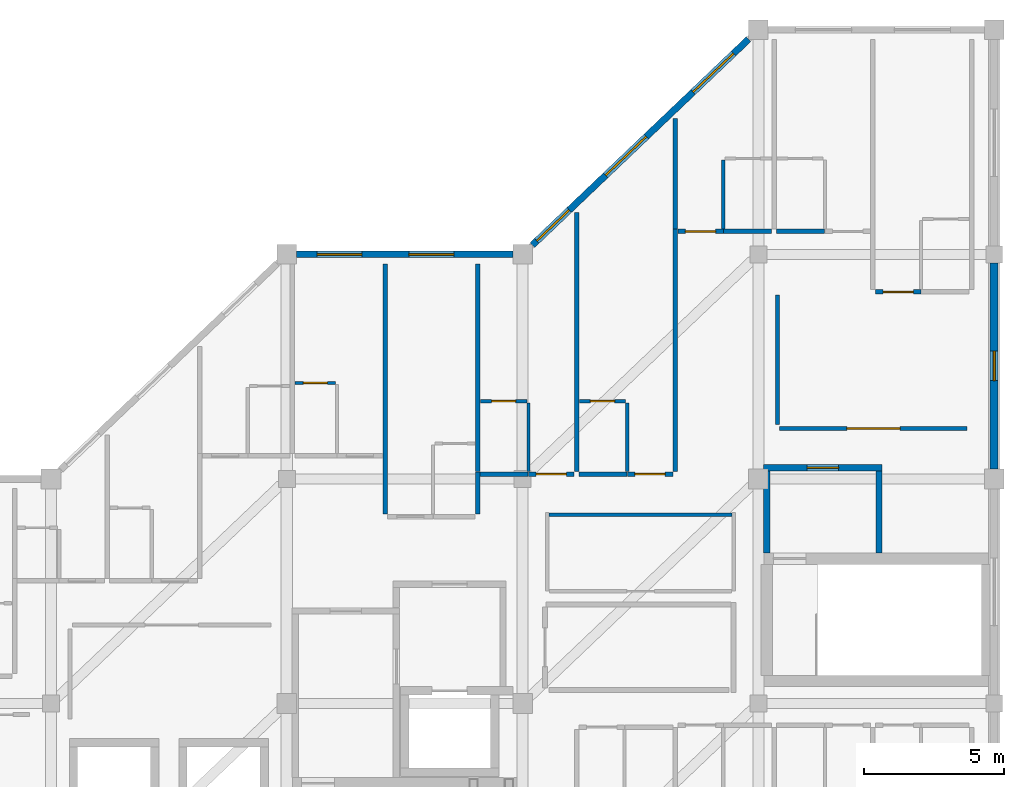
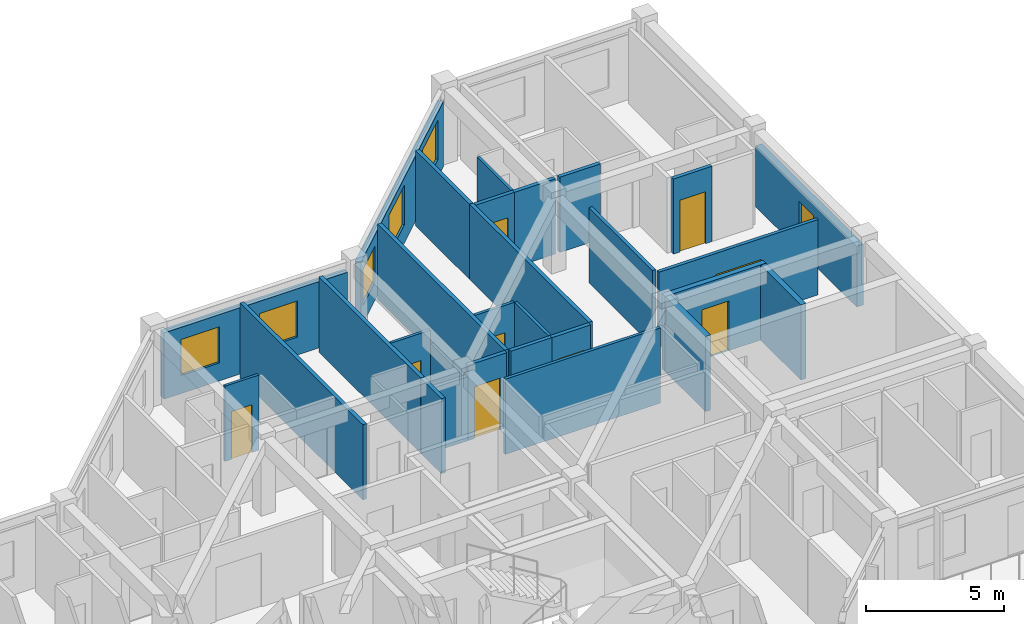
# One storey, part 12 of 15: 29 walls, 9 doors, 6 windows, 15 openings.
"""IFC4 building model written with IfcOpenShell, lengths in metres."""

from ifc_helpers import new_model, si_unit, direction, frame, frame_2d, origin, place, context, subcontext, project, spatial, rectangle, extrude, material, layer, layer_set, type_object, element, fill, save


model = new_model("IFC4")

# Units and contexts
model_context = context("Model", 3, precision=1e-05, world=origin(), true_north=direction((0.0, 1.0)))
body_context = subcontext(model_context, "Body", "Model", "MODEL_VIEW")
ifc_project = project(units=[si_unit("LENGTHUNIT", "METRE"), si_unit("AREAUNIT", "SQUARE_METRE"), si_unit("VOLUMEUNIT", "CUBIC_METRE"), si_unit("PLANEANGLEUNIT", "RADIAN"), si_unit("MASSUNIT", "GRAM", prefix="KILO")], contexts=[model_context])

# Site, building, storey
site_placement = place(None, origin())
site = spatial("IfcSite", under=ifc_project, at=site_placement, CompositionType="ELEMENT")
building_placement = place(site_placement, origin())
building = spatial("IfcBuilding", under=site, at=building_placement, Name="Naruveol Harbour Congress Hotel", CompositionType="ELEMENT")
storey_placement = place(building_placement, frame((0.0, 0.0, 32.39990234375)))
storey = spatial("IfcBuildingStorey", under=building, at=storey_placement, Name="L07", CompositionType="ELEMENT", Elevation=32.39990234375)

# Wall, opening, door
ifc_material_1 = material(Name="Acoustic Double Stud Gypsum", Category="gypsum")
ifc_layer_1 = layer(ifc_material_1, 0.139892578125)
ifc_layer_set_1 = layer_set([ifc_layer_1], Name="Acoustic Double Stud Gypsum")
wall_type_1 = type_object("IfcWallType", Name="ACOUSTIC MEETING PARTITION WALL 140", PredefinedType="PARTITIONING", material=ifc_layer_set_1)
wall_1_placement = place(storey_placement, frame((168.760009765625, 33.800048828125, 0.0), z_axis=(0.0, 0.0, 1.0), x_axis=(1.0, 0.0, 0.0)))
wall_1 = element("IfcWall", 1, at=wall_1_placement, inside=storey, type_object=wall_type_1, Name="Harbour Sunset Salon south entry wall PW-140", PredefinedType="PARTITIONING", context=body_context, shape_type="SweptSolid", body=[
    extrude(rectangle(XDim=6.679931640625, YDim=0.139892578125, at=frame_2d((3.33984375, 0.0))), origin(), (0.0, 0.0, 1.0), 3.335205078125),
])
opening_1_placement = place(wall_1_placement, frame((2.389892578125, 0.0, 0.0)))
opening_1 = element("IfcOpeningElement", 2, at=opening_1_placement, cuts=wall_1, Name="Opening ID-LG-118", PredefinedType="OPENING", context=body_context, shape_type="SweptSolid", body=[
    extrude(rectangle(XDim=1.89990234375, YDim=2.39990234375, at=frame_2d((0.949951171875, 1.199951171875))), frame((0.0, 0.079833984375, 0.0), z_axis=(0.0, -1.0, 0.0), x_axis=(1.0, 0.0, 0.0)), (0.0, 0.0, 1.0), 0.159912109375),
])
ifc_material_2 = material(Name="Timber & Steel Acoustic Leaf", Category="steel")
door_type_1 = type_object("IfcDoorType", Name="RESTAURANT AND LOUNGE GLAZED DOOR 1900X2400", OperationType="DOUBLE_DOOR_SINGLE_SWING", PredefinedType="DOOR", material=ifc_material_2)
door_1_placement = place(opening_1_placement, origin())
door_1 = element("IfcDoor", 3, at=door_1_placement, inside=storey, type_object=door_type_1, Name="Harbour Sunset Salon Entrance Door", OperationType="DOUBLE_DOOR_SINGLE_SWING", OverallHeight=2.39990234375, OverallWidth=1.89990234375, PredefinedType="DOOR", context=body_context, shape_type="SweptSolid", body=[
    extrude(rectangle(XDim=1.89990234375, YDim=2.39990234375, at=frame_2d((0.949951171875, 1.199951171875))), frame((0.0, 0.02490234375, 0.0), z_axis=(0.0, -1.0, 0.0), x_axis=(1.0, 0.0, 0.0)), (0.0, 0.0, 1.0), 0.050048828125),
])
fill(opening_1, door_1)

# Wall
wall_2_placement = place(storey_placement, frame((168.679931640625, 33.93994140625, 0.0), z_axis=(0.0, 0.0, 1.0), x_axis=(0.0, 1.0, 0.0)))
element("IfcWall", 4, at=wall_2_placement, inside=storey, type_object=wall_type_1, Name="Harbour Sunset Salon west partition PW-140", PredefinedType="PARTITIONING", context=body_context, shape_type="SweptSolid", body=[
    extrude(rectangle(XDim=4.610107421875, YDim=0.139892578125, at=frame_2d((2.30517578125, 0.0))), origin(), (0.0, 0.0, 1.0), 3.335205078125),
])

# Wall, opening, window
ifc_material_3 = material(Name="Precast concrete C40/50", Category="concrete")
ifc_layer_2 = layer(ifc_material_3, 0.280029296875)
ifc_layer_set_2 = layer_set([ifc_layer_2], Name="Precast concrete C40/50")
wall_type_2 = type_object("IfcWallType", Name="ARCHITECTURAL PRECAST FACADE WALL 280", PredefinedType="SOLIDWALL", material=ifc_layer_set_2)
wall_3_placement = place(storey_placement, frame((176.39990234375, 39.699951171875, 0.0), z_axis=(0.0, 0.0, 1.0), x_axis=(0.0, -1.0, 0.0)))
wall_3 = element("IfcWall", 5, at=wall_3_placement, inside=storey, type_object=wall_type_2, Name="Hotel east gable wall L07 EW-280", PredefinedType="SOLIDWALL", context=body_context, shape_type="SweptSolid", body=[
    extrude(rectangle(XDim=7.349853515625, YDim=0.280029296875, at=frame_2d((3.6748046875, 0.0))), origin(), (0.0, 0.0, 1.0), 2.7001953125),
])
opening_2_placement = place(wall_3_placement, frame((3.14990234375, 0.0, 0.5)))
opening_2 = element("IfcOpeningElement", 6, at=opening_2_placement, cuts=wall_3, Name="Opening W-26", PredefinedType="OPENING", context=body_context, shape_type="SweptSolid", body=[
    extrude(rectangle(XDim=1.050048828125, YDim=1.64990234375, at=frame_2d((0.52490234375, 0.824951171875))), frame((0.0, 0.14990234375, 0.0), z_axis=(0.0, -1.0, 0.0), x_axis=(1.0, 0.0, 0.0)), (0.0, 0.0, 1.0), 0.300048828125),
])
ifc_material_4 = material(Name="Low-E Triple Glazing in Thermal Aluminium", Category="aluminium")
window_type_1 = type_object("IfcWindowType", Name="CORRIDOR END VIEW WINDOW 1050X1650", PartitioningType="SINGLE_PANEL", PredefinedType="WINDOW", material=ifc_material_4)
window_1_placement = place(opening_2_placement, origin())
window_1 = element("IfcWindow", 7, at=window_1_placement, inside=storey, type_object=window_type_1, Name="Window W-26 #408", OverallHeight=1.64990234375, OverallWidth=1.050048828125, PartitioningType="SINGLE_PANEL", PredefinedType="WINDOW", context=body_context, shape_type="SweptSolid", body=[
    extrude(rectangle(XDim=1.050048828125, YDim=1.64990234375, at=frame_2d((0.52490234375, 0.824951171875))), frame((0.0, 0.030029296875, 0.0), z_axis=(0.0, -1.0, 0.0), x_axis=(1.0, 0.0, 0.0)), (0.0, 0.0, 1.0), 0.06005859375),
])
fill(opening_2, window_1)

# Wall, opening, door
ifc_material_5 = material(Name="Moisture-Resistant Gypsum Partition", Category="gypsum")
ifc_layer_3 = layer(ifc_material_5, 0.114990234375)
ifc_layer_set_3 = layer_set([ifc_layer_3], Name="Moisture-Resistant Gypsum Partition")
wall_type_3 = type_object("IfcWallType", Name="BATHROOM MOISTURE PARTITION WALL 115", PredefinedType="PARTITIONING", material=ifc_layer_set_3)
wall_4_placement = place(storey_placement, frame((151.5, 35.419921875, 0.0), z_axis=(0.0, 0.0, 1.0), x_axis=(1.0, 0.0, 0.0)))
wall_4 = element("IfcWall", 8, at=wall_4_placement, inside=storey, type_object=wall_type_3, Name="Bathroom north wall 0814 PW-115", PredefinedType="PARTITIONING", context=body_context, shape_type="SweptSolid", body=[
    extrude(rectangle(XDim=1.429931640625, YDim=0.114990234375, at=frame_2d((0.71484375, 0.0))), origin(), (0.0, 0.0, 1.0), 3.335205078125),
])
opening_3_placement = place(wall_4_placement, frame((0.284912109375, 0.0, 0.0)))
opening_3 = element("IfcOpeningElement", 9, at=opening_3_placement, cuts=wall_4, Name="Opening BD-RM0814", PredefinedType="OPENING", context=body_context, shape_type="SweptSolid", body=[
    extrude(rectangle(XDim=0.860107421875, YDim=2.1201171875, at=frame_2d((0.43017578125, 1.06005859375))), frame((0.0, 0.0673828125, 0.0), z_axis=(0.0, -1.0, 0.0), x_axis=(1.0, 0.0, 0.0)), (0.0, 0.0, 1.0), 0.135009765625),
])
ifc_material_6 = material(Name="Timber & Steel Acoustic Leaf", Category="steel")
door_type_2 = type_object("IfcDoorType", Name="GUEST BATHROOM DOOR 860X2120", OperationType="NOTDEFINED", PredefinedType="DOOR", material=ifc_material_6)
door_2_placement = place(opening_3_placement, origin())
door_2 = element("IfcDoor", 10, at=door_2_placement, inside=storey, type_object=door_type_2, Name="Bathroom Door 0814", OperationType="SINGLE_SWING_RIGHT", OverallHeight=2.1201171875, OverallWidth=0.860107421875, PredefinedType="DOOR", context=body_context, shape_type="SweptSolid", body=[
    extrude(rectangle(XDim=0.860107421875, YDim=2.1201171875, at=frame_2d((0.43017578125, 1.06005859375))), frame((0.0, 0.02490234375, 0.0), z_axis=(0.0, -1.0, 0.0), x_axis=(1.0, 0.0, 0.0)), (0.0, 0.0, 1.0), 0.050048828125),
])
fill(opening_3, door_2)

# Wall
wall_5_placement = place(storey_placement, frame((159.81005859375, 32.260009765625, 0.0), z_axis=(0.0, 0.0, 1.0), x_axis=(0.0, 1.0, 0.0)))
element("IfcWall", 11, at=wall_5_placement, inside=storey, type_object=wall_type_3, Name="Bathroom east wall 0816 PW-115", PredefinedType="PARTITIONING", context=body_context, shape_type="SweptSolid", body=[
    extrude(rectangle(XDim=2.449951171875, YDim=0.114990234375, at=frame_2d((1.22509765625, 0.0))), origin(), (0.0, 0.0, 1.0), 2.739990234375),
])

# Wall, opening, door
wall_6_placement = place(storey_placement, frame((158.10009765625, 34.77001953125, 0.0), z_axis=(0.0, 0.0, 1.0), x_axis=(1.0, 0.0, 0.0)))
wall_6 = element("IfcWall", 12, at=wall_6_placement, inside=storey, type_object=wall_type_3, Name="Bathroom north wall 0816 PW-115", PredefinedType="PARTITIONING", context=body_context, shape_type="SweptSolid", body=[
    extrude(rectangle(XDim=1.64990234375, YDim=0.114990234375, at=frame_2d((0.824951171875, 0.0))), origin(), (0.0, 0.0, 1.0), 3.335205078125),
])
opening_4_placement = place(wall_6_placement, frame((0.39501953125, 0.0, 0.0)))
opening_4 = element("IfcOpeningElement", 13, at=opening_4_placement, cuts=wall_6, Name="Opening BD-RM0816", PredefinedType="OPENING", context=body_context, shape_type="SweptSolid", body=[
    extrude(rectangle(XDim=0.860107421875, YDim=2.1201171875, at=frame_2d((0.43017578125, 1.06005859375))), frame((0.0, 0.0673828125, 0.0), z_axis=(0.0, -1.0, 0.0), x_axis=(1.0, 0.0, 0.0)), (0.0, 0.0, 1.0), 0.135009765625),
])
door_3_placement = place(opening_4_placement, origin())
door_3 = element("IfcDoor", 14, at=door_3_placement, inside=storey, type_object=door_type_2, Name="Bathroom Door 0816", OperationType="SINGLE_SWING_RIGHT", OverallHeight=2.1201171875, OverallWidth=0.860107421875, PredefinedType="DOOR", context=body_context, shape_type="SweptSolid", body=[
    extrude(rectangle(XDim=0.860107421875, YDim=2.1201171875, at=frame_2d((0.43017578125, 1.06005859375))), frame((0.0, 0.02490234375, 0.0), z_axis=(0.0, -1.0, 0.0), x_axis=(1.0, 0.0, 0.0)), (0.0, 0.0, 1.0), 0.050048828125),
])
fill(opening_4, door_3)

# Wall
wall_7_placement = place(storey_placement, frame((163.330078125, 32.260009765625, 0.0), z_axis=(0.0, 0.0, 1.0), x_axis=(0.0, 1.0, 0.0)))
element("IfcWall", 15, at=wall_7_placement, inside=storey, type_object=wall_type_3, Name="Bathroom east wall 0817 PW-115", PredefinedType="PARTITIONING", context=body_context, shape_type="SweptSolid", body=[
    extrude(rectangle(XDim=2.449951171875, YDim=0.114990234375, at=frame_2d((1.22509765625, 0.0))), origin(), (0.0, 0.0, 1.0), 3.335205078125),
])

# Wall, opening, door
wall_8_placement = place(storey_placement, frame((161.6201171875, 34.77001953125, 0.0), z_axis=(0.0, 0.0, 1.0), x_axis=(1.0, 0.0, 0.0)))
wall_8 = element("IfcWall", 16, at=wall_8_placement, inside=storey, type_object=wall_type_3, Name="Bathroom north wall 0817 PW-115", PredefinedType="PARTITIONING", context=body_context, shape_type="SweptSolid", body=[
    extrude(rectangle(XDim=1.64990234375, YDim=0.114990234375, at=frame_2d((0.824951171875, 0.0))), origin(), (0.0, 0.0, 1.0), 3.335205078125),
])
opening_5_placement = place(wall_8_placement, frame((0.39501953125, 0.0, 0.0)))
opening_5 = element("IfcOpeningElement", 17, at=opening_5_placement, cuts=wall_8, Name="Opening BD-RM0817", PredefinedType="OPENING", context=body_context, shape_type="SweptSolid", body=[
    extrude(rectangle(XDim=0.860107421875, YDim=2.1201171875, at=frame_2d((0.43017578125, 1.06005859375))), frame((0.0, 0.0673828125, 0.0), z_axis=(0.0, -1.0, 0.0), x_axis=(1.0, 0.0, 0.0)), (0.0, 0.0, 1.0), 0.135009765625),
])
door_4_placement = place(opening_5_placement, origin())
door_4 = element("IfcDoor", 18, at=door_4_placement, inside=storey, type_object=door_type_2, Name="Bathroom Door 0817", OperationType="SINGLE_SWING_RIGHT", OverallHeight=2.1201171875, OverallWidth=0.860107421875, PredefinedType="DOOR", context=body_context, shape_type="SweptSolid", body=[
    extrude(rectangle(XDim=0.860107421875, YDim=2.1201171875, at=frame_2d((0.43017578125, 1.06005859375))), frame((0.0, 0.02490234375, 0.0), z_axis=(0.0, -1.0, 0.0), x_axis=(1.0, 0.0, 0.0)), (0.0, 0.0, 1.0), 0.050048828125),
])
fill(opening_5, door_4)

# Walls
wall_9_placement = place(storey_placement, frame((166.75, 40.909912109375, 0.0), z_axis=(0.0, 0.0, 1.0), x_axis=(0.0, 1.0, 0.0)))
element("IfcWall", 19, at=wall_9_placement, inside=storey, type_object=wall_type_3, Name="Bathroom west wall 0818 PW-115", PredefinedType="PARTITIONING", context=body_context, shape_type="SweptSolid", body=[
    extrude(rectangle(XDim=2.4501953125, YDim=0.114990234375, at=frame_2d((1.22509765625, 0.0))), origin(), (0.0, 0.0, 1.0), 3.335205078125),
])
ifc_material_7 = material(Name="Concrete C40/50", Category="concrete")
ifc_layer_4 = layer(ifc_material_7, 0.219970703125)
ifc_layer_set_4 = layer_set([ifc_layer_4], Name="Concrete C40/50")
wall_type_4 = type_object("IfcWallType", Name="FIRE COMPARTMENT AND LOBBY WALL 220 EI120", PredefinedType="PARTITIONING", material=ifc_layer_set_4)
wall_10_placement = place(storey_placement, frame((168.300048828125, 29.364990234375, 0.0), z_axis=(0.0, 0.0, 1.0), x_axis=(0.0, 1.0, 0.0)))
element("IfcWall", 20, at=wall_10_placement, inside=storey, type_object=wall_type_4, Name="Smoke vestibule ST4 west wall FW-220", PredefinedType="PARTITIONING", context=body_context, shape_type="SweptSolid", body=[
    extrude(rectangle(XDim=2.919921875, YDim=0.219970703125, at=frame_2d((1.4599609375, 0.0))), origin(), (0.0, 0.0, 1.0), 3.335205078125),
])

# Wall, opening, door
wall_11_placement = place(storey_placement, frame((168.18994140625, 32.39990234375, 0.0), z_axis=(0.0, 0.0, 1.0), x_axis=(1.0, 0.0, 0.0)))
wall_11 = element("IfcWall", 21, at=wall_11_placement, inside=storey, type_object=wall_type_4, Name="Smoke vestibule ST4 north wall FW-220", PredefinedType="PARTITIONING", context=body_context, shape_type="SweptSolid", body=[
    extrude(rectangle(XDim=4.219970703125, YDim=0.219970703125, at=frame_2d((2.10986328125, 0.0))), origin(), (0.0, 0.0, 1.0), 3.335205078125),
])
opening_6_placement = place(wall_11_placement, frame((1.550048828125, 0.0, 0.0)))
opening_6 = element("IfcOpeningElement", 22, at=opening_6_placement, cuts=wall_11, Name="Opening FD-ST4-V-L07", PredefinedType="OPENING", context=body_context, shape_type="SweptSolid", body=[
    extrude(rectangle(XDim=1.1201171875, YDim=2.199951171875, at=frame_2d((0.56005859375, 1.10009765625))), frame((0.0, 0.119873046875, 0.0), z_axis=(0.0, -1.0, 0.0), x_axis=(1.0, 0.0, 0.0)), (0.0, 0.0, 1.0), 0.239990234375),
])
ifc_material_8 = material(Name="Timber & Steel Acoustic Leaf", Category="steel")
door_type_3 = type_object("IfcDoorType", Name="VESTIBULE SMOKE CONTROL FIRE DOOR 1120X2200", OperationType="NOTDEFINED", PredefinedType="DOOR", material=ifc_material_8)
door_5_placement = place(opening_6_placement, origin())
door_5 = element("IfcDoor", 23, at=door_5_placement, inside=storey, type_object=door_type_3, Name="Smoke Vestibule Entry Door ST4 L07", OperationType="SINGLE_SWING_LEFT", OverallHeight=2.199951171875, OverallWidth=1.1201171875, PredefinedType="DOOR", context=body_context, shape_type="SweptSolid", body=[
    extrude(rectangle(XDim=1.1201171875, YDim=2.199951171875, at=frame_2d((0.56005859375, 1.10009765625))), frame((0.0, 0.02490234375, 0.0), z_axis=(0.0, -1.0, 0.0), x_axis=(1.0, 0.0, 0.0)), (0.0, 0.0, 1.0), 0.050048828125),
])
fill(opening_6, door_5)

# Walls
wall_12_placement = place(storey_placement, frame((172.300048828125, 29.364990234375, 0.0), z_axis=(0.0, 0.0, 1.0), x_axis=(0.0, 1.0, 0.0)))
element("IfcWall", 24, at=wall_12_placement, inside=storey, type_object=wall_type_4, Name="Smoke vestibule ST4 east wall FW-220", PredefinedType="PARTITIONING", context=body_context, shape_type="SweptSolid", body=[
    extrude(rectangle(XDim=2.919921875, YDim=0.219970703125, at=frame_2d((1.4599609375, 0.0))), origin(), (0.0, 0.0, 1.0), 3.335205078125),
])
ifc_material_9 = material(Name="Autoclaved Aerated Concrete Block", Category="concrete")
ifc_layer_5 = layer(ifc_material_9, 0.159912109375)
ifc_layer_set_5 = layer_set([ifc_layer_5], Name="Autoclaved Aerated Concrete Block")
wall_type_5 = type_object("IfcWallType", Name="HOTEL PARTY AND CORRIDOR WALL 160 EI60", PredefinedType="PARTITIONING", material=ifc_layer_set_5)
wall_13_placement = place(storey_placement, frame((154.699951171875, 30.75, 0.0), z_axis=(0.0, 0.0, 1.0), x_axis=(0.0, 1.0, 0.0)))
element("IfcWall", 25, at=wall_13_placement, inside=storey, type_object=wall_type_5, Name="Hotel party wall 0815 PW-160", PredefinedType="PARTITIONING", context=body_context, shape_type="SweptSolid", body=[
    extrude(rectangle(XDim=8.909912109375, YDim=0.159912109375, at=frame_2d((4.455078125, 0.0))), origin(), (0.0, 0.0, 1.0), 3.335205078125),
])
wall_14_placement = place(storey_placement, frame((158.0, 30.75, 0.0), z_axis=(0.0, 0.0, 1.0), x_axis=(0.0, 1.0, 0.0)))
element("IfcWall", 26, at=wall_14_placement, inside=storey, type_object=wall_type_5, Name="Hotel end party wall 0815 PW-160", PredefinedType="PARTITIONING", context=body_context, shape_type="SweptSolid", body=[
    extrude(rectangle(XDim=1.5, YDim=0.159912109375, at=frame_2d((0.75, 0.0))), origin(), (0.0, 0.0, 1.0), 3.335205078125),
])
wall_15_placement = place(storey_placement, frame((158.090087890625, 32.169921875, 0.0), z_axis=(0.0, 0.0, 1.0), x_axis=(1.0, 0.0, 0.0)))
element("IfcWall", 27, at=wall_15_placement, inside=storey, type_object=wall_type_5, Name="Corridor wall 0816B PW-160", PredefinedType="PARTITIONING", context=body_context, shape_type="SweptSolid", body=[
    extrude(rectangle(XDim=1.7099609375, YDim=0.159912109375, at=frame_2d((0.85498046875, 0.0))), origin(), (0.0, 0.0, 1.0), 2.840087890625),
])

# Wall, opening, door
wall_16_placement = place(storey_placement, frame((159.81005859375, 32.169921875, 0.0), z_axis=(0.0, 0.0, 1.0), x_axis=(1.0, 0.0, 0.0)))
wall_16 = element("IfcWall", 28, at=wall_16_placement, inside=storey, type_object=wall_type_5, Name="Corridor entry wall 0816 PW-160", PredefinedType="PARTITIONING", context=body_context, shape_type="SweptSolid", body=[
    extrude(rectangle(XDim=1.619873046875, YDim=0.159912109375, at=frame_2d((0.81005859375, 0.0))), origin(), (0.0, 0.0, 1.0), 3.335205078125),
])
opening_7_placement = place(wall_16_placement, frame((0.27001953125, 0.0, 0.0)))
opening_7 = element("IfcOpeningElement", 29, at=opening_7_placement, cuts=wall_16, Name="Opening FD-RM0816", PredefinedType="OPENING", context=body_context, shape_type="SweptSolid", body=[
    extrude(rectangle(XDim=1.080078125, YDim=2.300048828125, at=frame_2d((0.5400390625, 1.14990234375))), frame((0.0, 0.08984375, 0.0), z_axis=(0.0, -1.0, 0.0), x_axis=(1.0, 0.0, 0.0)), (0.0, 0.0, 1.0), 0.179931640625),
])
ifc_material_10 = material(Name="Timber & Steel Acoustic Leaf", Category="steel")
door_type_4 = type_object("IfcDoorType", Name="SUITE ENTRANCE FIRE DOOR 1080X2300", OperationType="NOTDEFINED", PredefinedType="DOOR", material=ifc_material_10)
door_6_placement = place(opening_7_placement, origin())
door_6 = element("IfcDoor", 30, at=door_6_placement, inside=storey, type_object=door_type_4, Name="Hotel Room Door 0816", OperationType="SINGLE_SWING_LEFT", OverallHeight=2.300048828125, OverallWidth=1.080078125, PredefinedType="DOOR", context=body_context, shape_type="SweptSolid", body=[
    extrude(rectangle(XDim=1.080078125, YDim=2.300048828125, at=frame_2d((0.5400390625, 1.14990234375))), frame((0.0, 0.02490234375, 0.0), z_axis=(0.0, -1.0, 0.0), x_axis=(1.0, 0.0, 0.0)), (0.0, 0.0, 1.0), 0.050048828125),
])
fill(opening_7, door_6)

# Walls
wall_17_placement = place(storey_placement, frame((158.0, 32.260009765625, 0.0), z_axis=(0.0, 0.0, 1.0), x_axis=(0.0, 1.0, 0.0)))
element("IfcWall", 31, at=wall_17_placement, inside=storey, type_object=wall_type_5, Name="Hotel party wall 0816 PW-160", PredefinedType="PARTITIONING", context=body_context, shape_type="SweptSolid", body=[
    extrude(rectangle(XDim=7.39990234375, YDim=0.159912109375, at=frame_2d((3.699951171875, 0.0))), origin(), (0.0, 0.0, 1.0), 3.335205078125),
])
wall_18_placement = place(storey_placement, frame((161.610107421875, 32.169921875, 0.0), z_axis=(0.0, 0.0, 1.0), x_axis=(1.0, 0.0, 0.0)))
element("IfcWall", 32, at=wall_18_placement, inside=storey, type_object=wall_type_5, Name="Corridor wall 0817B PW-160", PredefinedType="PARTITIONING", context=body_context, shape_type="SweptSolid", body=[
    extrude(rectangle(XDim=1.7099609375, YDim=0.159912109375, at=frame_2d((0.85498046875, 0.0))), origin(), (0.0, 0.0, 1.0), 3.335205078125),
])

# Wall, opening, door
wall_19_placement = place(storey_placement, frame((163.330078125, 32.169921875, 0.0), z_axis=(0.0, 0.0, 1.0), x_axis=(1.0, 0.0, 0.0)))
wall_19 = element("IfcWall", 33, at=wall_19_placement, inside=storey, type_object=wall_type_5, Name="Corridor entry wall 0817 PW-160", PredefinedType="PARTITIONING", context=body_context, shape_type="SweptSolid", body=[
    extrude(rectangle(XDim=1.619873046875, YDim=0.159912109375, at=frame_2d((0.81005859375, 0.0))), origin(), (0.0, 0.0, 1.0), 3.335205078125),
])
opening_8_placement = place(wall_19_placement, frame((0.27001953125, 0.0, 0.0)))
opening_8 = element("IfcOpeningElement", 34, at=opening_8_placement, cuts=wall_19, Name="Opening FD-RM0817", PredefinedType="OPENING", context=body_context, shape_type="SweptSolid", body=[
    extrude(rectangle(XDim=1.080078125, YDim=2.300048828125, at=frame_2d((0.5400390625, 1.14990234375))), frame((0.0, 0.08984375, 0.0), z_axis=(0.0, -1.0, 0.0), x_axis=(1.0, 0.0, 0.0)), (0.0, 0.0, 1.0), 0.179931640625),
])
door_7_placement = place(opening_8_placement, origin())
door_7 = element("IfcDoor", 35, at=door_7_placement, inside=storey, type_object=door_type_4, Name="Hotel Room Door 0817", OperationType="SINGLE_SWING_LEFT", OverallHeight=2.300048828125, OverallWidth=1.080078125, PredefinedType="DOOR", context=body_context, shape_type="SweptSolid", body=[
    extrude(rectangle(XDim=1.080078125, YDim=2.300048828125, at=frame_2d((0.5400390625, 1.14990234375))), frame((0.0, 0.02490234375, 0.0), z_axis=(0.0, -1.0, 0.0), x_axis=(1.0, 0.0, 0.0)), (0.0, 0.0, 1.0), 0.050048828125),
])
fill(opening_8, door_7)

# Walls
wall_20_placement = place(storey_placement, frame((161.52001953125, 32.260009765625, 0.0), z_axis=(0.0, 0.0, 1.0), x_axis=(0.0, 1.0, 0.0)))
element("IfcWall", 36, at=wall_20_placement, inside=storey, type_object=wall_type_5, Name="Hotel party wall 0817 PW-160", PredefinedType="PARTITIONING", context=body_context, shape_type="SweptSolid", body=[
    extrude(rectangle(XDim=9.22998046875, YDim=0.159912109375, at=frame_2d((4.614990234375, 0.0))), origin(), (0.0, 0.0, 1.0), 3.335205078125),
])
wall_21_placement = place(storey_placement, frame((165.0400390625, 32.260009765625, 0.0), z_axis=(0.0, 0.0, 1.0), x_axis=(0.0, 1.0, 0.0)))
element("IfcWall", 37, at=wall_21_placement, inside=storey, type_object=wall_type_5, Name="Hotel end party wall 0817 PW-160", PredefinedType="PARTITIONING", context=body_context, shape_type="SweptSolid", body=[
    extrude(rectangle(XDim=8.639892578125, YDim=0.159912109375, at=frame_2d((4.31982421875, 0.0))), origin(), (0.0, 0.0, 1.0), 3.335205078125),
])

# Wall, opening, door
wall_22_placement = place(storey_placement, frame((165.1298828125, 40.820068359375, 0.0), z_axis=(0.0, 0.0, 1.0), x_axis=(1.0, 0.0, 0.0)))
wall_22 = element("IfcWall", 38, at=wall_22_placement, inside=storey, type_object=wall_type_5, Name="Corridor entry wall 0818 PW-160", PredefinedType="PARTITIONING", context=body_context, shape_type="SweptSolid", body=[
    extrude(rectangle(XDim=1.6201171875, YDim=0.159912109375, at=frame_2d((0.81005859375, 0.0))), origin(), (0.0, 0.0, 1.0), 3.335205078125),
])
opening_9_placement = place(wall_22_placement, frame((0.27001953125, 0.0, 0.0)))
opening_9 = element("IfcOpeningElement", 39, at=opening_9_placement, cuts=wall_22, Name="Opening FD-RM0818", PredefinedType="OPENING", context=body_context, shape_type="SweptSolid", body=[
    extrude(rectangle(XDim=1.080078125, YDim=2.300048828125, at=frame_2d((0.5400390625, 1.14990234375))), frame((0.0, 0.08984375, 0.0), z_axis=(0.0, -1.0, 0.0), x_axis=(1.0, 0.0, 0.0)), (0.0, 0.0, 1.0), 0.179931640625),
])
door_8_placement = place(opening_9_placement, origin())
door_8 = element("IfcDoor", 40, at=door_8_placement, inside=storey, type_object=door_type_4, Name="Hotel Room Door 0818", OperationType="SINGLE_SWING_LEFT", OverallHeight=2.300048828125, OverallWidth=1.080078125, PredefinedType="DOOR", context=body_context, shape_type="SweptSolid", body=[
    extrude(rectangle(XDim=1.080078125, YDim=2.300048828125, at=frame_2d((0.5400390625, 1.14990234375))), frame((0.0, 0.02490234375, 0.0), z_axis=(0.0, -1.0, 0.0), x_axis=(1.0, 0.0, 0.0)), (0.0, 0.0, 1.0), 0.050048828125),
])
fill(opening_9, door_8)

# Walls
wall_23_placement = place(storey_placement, frame((166.760009765625, 40.820068359375, 0.0), z_axis=(0.0, 0.0, 1.0), x_axis=(1.0, 0.0, 0.0)))
element("IfcWall", 41, at=wall_23_placement, inside=storey, type_object=wall_type_5, Name="Corridor wall 0818B PW-160", PredefinedType="PARTITIONING", context=body_context, shape_type="SweptSolid", body=[
    extrude(rectangle(XDim=1.7099609375, YDim=0.159912109375, at=frame_2d((0.85498046875, 0.0))), origin(), (0.0, 0.0, 1.0), 3.335205078125),
])
wall_24_placement = place(storey_placement, frame((165.0400390625, 40.909912109375, 0.0), z_axis=(0.0, 0.0, 1.0), x_axis=(0.0, 1.0, 0.0)))
element("IfcWall", 42, at=wall_24_placement, inside=storey, type_object=wall_type_5, Name="Hotel party wall 0818 PW-160", PredefinedType="PARTITIONING", context=body_context, shape_type="SweptSolid", body=[
    extrude(rectangle(XDim=3.93017578125, YDim=0.159912109375, at=frame_2d((1.965087890625, 0.0))), origin(), (0.0, 0.0, 1.0), 3.335205078125),
])
wall_25_placement = place(storey_placement, frame((168.64990234375, 40.820068359375, 0.0), z_axis=(0.0, 0.0, 1.0), x_axis=(1.0, 0.0, 0.0)))
element("IfcWall", 43, at=wall_25_placement, inside=storey, type_object=wall_type_5, Name="Corridor wall 0819B PW-160", PredefinedType="PARTITIONING", context=body_context, shape_type="SweptSolid", body=[
    extrude(rectangle(XDim=1.710205078125, YDim=0.159912109375, at=frame_2d((0.85498046875, 0.0))), origin(), (0.0, 0.0, 1.0), 3.335205078125),
])

# Wall, opening, door
wall_26_placement = place(storey_placement, frame((172.169921875, 38.659912109375, 0.0), z_axis=(0.0, 0.0, 1.0), x_axis=(1.0, 0.0, 0.0)))
wall_26 = element("IfcWall", 44, at=wall_26_placement, inside=storey, type_object=wall_type_5, Name="Corridor entry wall 0820 PW-160", PredefinedType="PARTITIONING", context=body_context, shape_type="SweptSolid", body=[
    extrude(rectangle(XDim=1.6201171875, YDim=0.159912109375, at=frame_2d((0.81005859375, 0.0))), origin(), (0.0, 0.0, 1.0), 3.335205078125),
])
opening_10_placement = place(wall_26_placement, frame((0.27001953125, 0.0, 0.0)))
opening_10 = element("IfcOpeningElement", 45, at=opening_10_placement, cuts=wall_26, Name="Opening FD-RM0820", PredefinedType="OPENING", context=body_context, shape_type="SweptSolid", body=[
    extrude(rectangle(XDim=1.080078125, YDim=2.300048828125, at=frame_2d((0.5400390625, 1.14990234375))), frame((0.0, 0.08984375, 0.0), z_axis=(0.0, -1.0, 0.0), x_axis=(1.0, 0.0, 0.0)), (0.0, 0.0, 1.0), 0.179931640625),
])
door_9_placement = place(opening_10_placement, origin())
door_9 = element("IfcDoor", 46, at=door_9_placement, inside=storey, type_object=door_type_4, Name="Hotel Room Door 0820", OperationType="SINGLE_SWING_LEFT", OverallHeight=2.300048828125, OverallWidth=1.080078125, PredefinedType="DOOR", context=body_context, shape_type="SweptSolid", body=[
    extrude(rectangle(XDim=1.080078125, YDim=2.300048828125, at=frame_2d((0.5400390625, 1.14990234375))), frame((0.0, 0.02490234375, 0.0), z_axis=(0.0, -1.0, 0.0), x_axis=(1.0, 0.0, 0.0)), (0.0, 0.0, 1.0), 0.050048828125),
])
fill(opening_10, door_9)

# Wall, openings, windows
ifc_material_11 = material(Name="Concrete C40/50", Category="concrete")
ifc_layer_6 = layer(ifc_material_11, 0.239990234375)
ifc_layer_set_6 = layer_set([ifc_layer_6], Name="Concrete C40/50")
wall_type_6 = type_object("IfcWallType", Name="INSULATED HOTEL SPANDREL WALL 240", PredefinedType="SOLIDWALL", material=ifc_layer_set_6)
wall_27_placement = place(storey_placement, frame((151.550048828125, 40.0, 0.0), z_axis=(0.0, 0.0, 1.0), x_axis=(1.0, 0.0, 0.0)))
wall_27 = element("IfcWall", 47, at=wall_27_placement, inside=storey, type_object=wall_type_6, Name="Hotel north bay wall L07 EW-240", PredefinedType="SOLIDWALL", context=body_context, shape_type="SweptSolid", body=[
    extrude(rectangle(XDim=7.699951171875, YDim=0.239990234375, at=frame_2d((3.85009765625, 0.0))), origin(), (0.0, 0.0, 1.0), 2.940185546875),
])
opening_11_placement = place(wall_27_placement, frame((0.72509765625, 0.0, 0.800048828125)))
opening_11 = element("IfcOpeningElement", 48, at=opening_11_placement, cuts=wall_27, Name="Opening W-03", PredefinedType="OPENING", context=body_context, shape_type="SweptSolid", body=[
    extrude(rectangle(XDim=1.60009765625, YDim=1.60009765625, at=frame_2d((0.800048828125, 0.800048828125))), frame((0.0, 0.1298828125, 0.0), z_axis=(0.0, -1.0, 0.0), x_axis=(1.0, 0.0, 0.0)), (0.0, 0.0, 1.0), 0.260009765625),
])
opening_12_placement = place(wall_27_placement, frame((4.0, 0.0, 0.800048828125)))
opening_12 = element("IfcOpeningElement", 49, at=opening_12_placement, cuts=wall_27, Name="Opening W-03", PredefinedType="OPENING", context=body_context, shape_type="SweptSolid", body=[
    extrude(rectangle(XDim=1.60009765625, YDim=1.60009765625, at=frame_2d((0.800048828125, 0.800048828125))), frame((0.0, 0.1298828125, 0.0), z_axis=(0.0, -1.0, 0.0), x_axis=(1.0, 0.0, 0.0)), (0.0, 0.0, 1.0), 0.260009765625),
])
ifc_material_12 = material(Name="Low-E Triple Glazing in Thermal Aluminium", Category="aluminium")
window_type_2 = type_object("IfcWindowType", Name="DELUXE GUEST WINDOW 1600X1600", PartitioningType="SINGLE_PANEL", PredefinedType="WINDOW", material=ifc_material_12)
window_2_placement = place(opening_11_placement, origin())
window_2 = element("IfcWindow", 50, at=window_2_placement, inside=storey, type_object=window_type_2, Name="Window W-03 #397", OverallHeight=1.60009765625, OverallWidth=1.60009765625, PartitioningType="SINGLE_PANEL", PredefinedType="WINDOW", context=body_context, shape_type="SweptSolid", body=[
    extrude(rectangle(XDim=1.60009765625, YDim=1.60009765625, at=frame_2d((0.800048828125, 0.800048828125))), frame((0.0, 0.030029296875, 0.0), z_axis=(0.0, -1.0, 0.0), x_axis=(1.0, 0.0, 0.0)), (0.0, 0.0, 1.0), 0.06005859375),
])
fill(opening_11, window_2)
window_3_placement = place(opening_12_placement, origin())
window_3 = element("IfcWindow", 51, at=window_3_placement, inside=storey, type_object=window_type_2, Name="Window W-03 #398", OverallHeight=1.60009765625, OverallWidth=1.60009765625, PartitioningType="SINGLE_PANEL", PredefinedType="WINDOW", context=body_context, shape_type="SweptSolid", body=[
    extrude(rectangle(XDim=1.60009765625, YDim=1.60009765625, at=frame_2d((0.800048828125, 0.800048828125))), frame((0.0, 0.030029296875, 0.0), z_axis=(0.0, -1.0, 0.0), x_axis=(1.0, 0.0, 0.0)), (0.0, 0.0, 1.0), 0.06005859375),
])
fill(opening_12, window_3)

wall_28_placement = place(storey_placement, frame((159.949951171875, 40.3330078125, 0.0), z_axis=(0.0, 0.0, 1.0), x_axis=(0.724105170588, 0.689689569247, 0.0)))
wall_28 = element("IfcWall", 52, at=wall_28_placement, inside=storey, type_object=wall_type_6, Name="Hotel north bay wall L07 EW-240", PredefinedType="SOLIDWALL", context=body_context, shape_type="SweptSolid", body=[
    extrude(rectangle(XDim=10.6337890625, YDim=0.239990234375, at=frame_2d((5.31689453125, 0.0))), origin(), (0.0, 0.0, 1.0), 2.89013671875),
])
opening_13_placement = place(wall_28_placement, frame((0.215087890625, 0.0, 0.800048828125)))
opening_13 = element("IfcOpeningElement", 53, at=opening_13_placement, cuts=wall_28, Name="Opening W-03", PredefinedType="OPENING", context=body_context, shape_type="SweptSolid", body=[
    extrude(rectangle(XDim=1.60009765625, YDim=1.60009765625, at=frame_2d((0.800048828125, 0.800048828125))), frame((0.0, 0.1298828125, 0.0), z_axis=(0.0, -1.0, 0.0), x_axis=(1.0, 0.0, 0.0)), (0.0, 0.0, 1.0), 0.260009765625),
])
opening_14_placement = place(wall_28_placement, frame((3.59912109375, 0.0, 0.800048828125)))
opening_14 = element("IfcOpeningElement", 54, at=opening_14_placement, cuts=wall_28, Name="Opening W-05", PredefinedType="OPENING", context=body_context, shape_type="SweptSolid", body=[
    extrude(rectangle(XDim=2.0, YDim=1.75, at=frame_2d((1.0, 0.875))), frame((0.0, 0.1298828125, 0.0), z_axis=(0.0, -1.0, 0.0), x_axis=(1.0, 0.0, 0.0)), (0.0, 0.0, 1.0), 0.260009765625),
])
opening_15_placement = place(wall_28_placement, frame((7.90087890625, 0.0, 0.800048828125)))
opening_15 = element("IfcOpeningElement", 55, at=opening_15_placement, cuts=wall_28, Name="Opening W-05", PredefinedType="OPENING", context=body_context, shape_type="SweptSolid", body=[
    extrude(rectangle(XDim=2.0, YDim=1.75, at=frame_2d((1.0, 0.875))), frame((0.0, 0.1298828125, 0.0), z_axis=(0.0, -1.0, 0.0), x_axis=(1.0, 0.0, 0.0)), (0.0, 0.0, 1.0), 0.260009765625),
])
window_4_placement = place(opening_13_placement, origin())
window_4 = element("IfcWindow", 56, at=window_4_placement, inside=storey, type_object=window_type_2, Name="Window W-03 #401", OverallHeight=1.60009765625, OverallWidth=1.60009765625, PartitioningType="SINGLE_PANEL", PredefinedType="WINDOW", context=body_context, shape_type="SweptSolid", body=[
    extrude(rectangle(XDim=1.60009765625, YDim=1.60009765625, at=frame_2d((0.800048828125, 0.800048828125))), frame((0.0, 0.030029296875, 0.0), z_axis=(0.0, -1.0, 0.0), x_axis=(1.0, 0.0, 0.0)), (0.0, 0.0, 1.0), 0.06005859375),
])
fill(opening_13, window_4)
ifc_material_13 = material(Name="Low-E Triple Glazing in Thermal Aluminium", Category="aluminium")
window_type_3 = type_object("IfcWindowType", Name="GARDEN SUITE WINDOW 2000X1750", PartitioningType="DOUBLE_PANEL_VERTICAL", PredefinedType="WINDOW", material=ifc_material_13)
window_5_placement = place(opening_14_placement, origin())
window_5 = element("IfcWindow", 57, at=window_5_placement, inside=storey, type_object=window_type_3, Name="Window W-05 #402", OverallHeight=1.75, OverallWidth=2.0, PartitioningType="DOUBLE_PANEL_VERTICAL", PredefinedType="WINDOW", context=body_context, shape_type="SweptSolid", body=[
    extrude(rectangle(XDim=2.0, YDim=1.75, at=frame_2d((1.0, 0.875))), frame((0.0, 0.030029296875, 0.0), z_axis=(0.0, -1.0, 0.0), x_axis=(1.0, 0.0, 0.0)), (0.0, 0.0, 1.0), 0.06005859375),
])
fill(opening_14, window_5)
window_6_placement = place(opening_15_placement, origin())
window_6 = element("IfcWindow", 58, at=window_6_placement, inside=storey, type_object=window_type_3, Name="Window W-05 #403", OverallHeight=1.75, OverallWidth=2.0, PartitioningType="DOUBLE_PANEL_VERTICAL", PredefinedType="WINDOW", context=body_context, shape_type="SweptSolid", body=[
    extrude(rectangle(XDim=2.0, YDim=1.75, at=frame_2d((1.0, 0.875))), frame((0.0, 0.030029296875, 0.0), z_axis=(0.0, -1.0, 0.0), x_axis=(1.0, 0.0, 0.0)), (0.0, 0.0, 1.0), 0.06005859375),
])
fill(opening_15, window_6)

# Wall
ifc_material_14 = material(Name="Acoustic Double Stud Gypsum", Category="gypsum")
ifc_layer_7 = layer(ifc_material_14, 0.125)
ifc_layer_set_7 = layer_set([ifc_layer_7], Name="Acoustic Double Stud Gypsum")
wall_type_7 = type_object("IfcWallType", Name="SERVICE CHASE PARTITION WALL 125", PredefinedType="PARTITIONING", material=ifc_layer_set_7)
wall_29_placement = place(storey_placement, frame((160.54296875, 30.719970703125, 0.0), z_axis=(0.0, 0.0, 1.0), x_axis=(1.0, 0.0, 0.0)))
element("IfcWall", 59, at=wall_29_placement, inside=storey, type_object=wall_type_7, Name="Accessible Restroom north enclosure partition PW-125", PredefinedType="PARTITIONING", context=body_context, shape_type="SweptSolid", body=[
    extrude(rectangle(XDim=6.513916015625, YDim=0.125, at=frame_2d((3.2568359375, 0.0))), origin(), (0.0, 0.0, 1.0), 3.335205078125),
])

save(model, "model.ifc")
